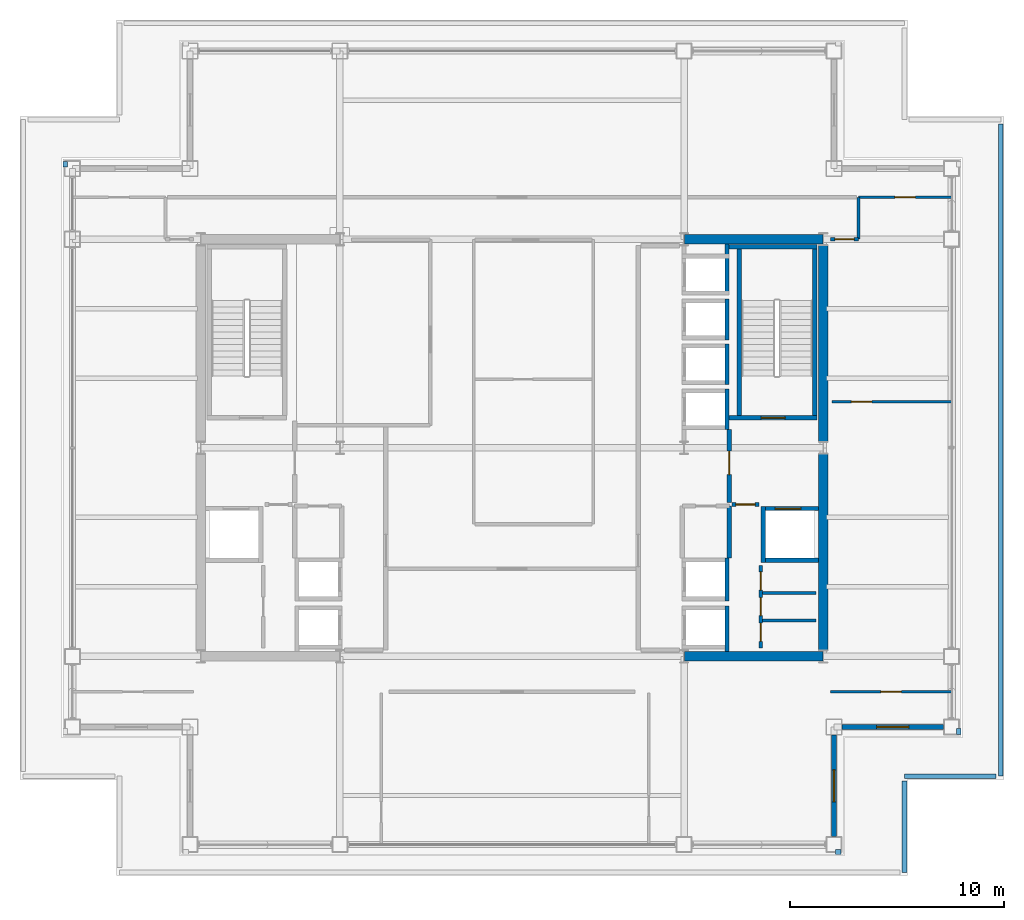
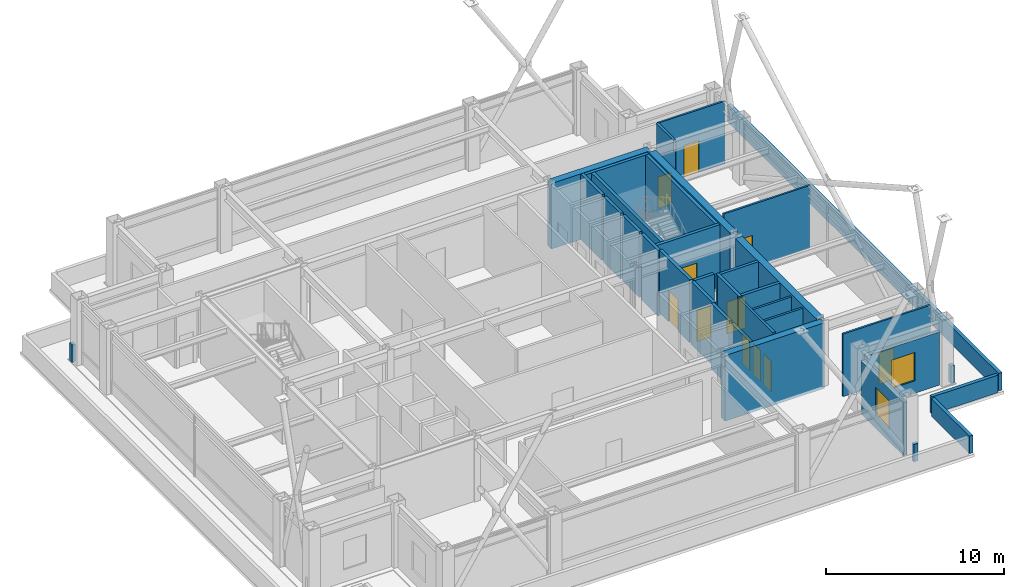
# One storey, part 22 of 24: 36 walls, 11 doors, 2 windows, 13 openings.
"""IFC4 building model written with IfcOpenShell, lengths in metres."""

from ifc_helpers import new_model, si_unit, direction, frame, frame_2d, origin, place, context, subcontext, project, spatial, rectangle, extrude, material, layer, layer_set, type_object, element, fill, save


model = new_model("IFC4")

# Units and contexts
model_context = context("Model", 3, precision=1e-05, world=origin(), true_north=direction((0.0, 1.0)))
body_context = subcontext(model_context, "Body", "Model", "MODEL_VIEW")
ifc_project = project(units=[si_unit("LENGTHUNIT", "METRE"), si_unit("AREAUNIT", "SQUARE_METRE"), si_unit("VOLUMEUNIT", "CUBIC_METRE"), si_unit("PLANEANGLEUNIT", "RADIAN"), si_unit("MASSUNIT", "GRAM", prefix="KILO")], contexts=[model_context])

# Site, building, storey
site_placement = place(None, origin())
site = spatial("IfcSite", under=ifc_project, at=site_placement, CompositionType="ELEMENT")
building_placement = place(site_placement, origin())
building = spatial("IfcBuilding", under=site, at=building_placement, Name="Brelmoor Portico Tower", CompositionType="ELEMENT")
storey_placement = place(building_placement, frame((0.0, 0.0, 150.60009765625)))
storey = spatial("IfcBuildingStorey", under=building, at=storey_placement, Name="L39", CompositionType="ELEMENT", Elevation=150.60009765625)

# Walls
ifc_material_1 = material(Name="Concrete C50", Category="concrete")
ifc_layer_1 = layer(ifc_material_1, 0.449951171875)
ifc_layer_set_1 = layer_set([ifc_layer_1], Name="Concrete C50")
wall_type_1 = type_object("IfcWallType", Name="WL-CORE-450", PredefinedType="SHEAR", material=ifc_layer_set_1)
for number, where, z_axis, x_axis, name in (
    (1, (8.070068359375, -9.75, -0.2001953125), (0.0, 0.0, 1.0), (1.0, 0.0, 0.0), "L39 EC South Shear Wall"),
    (2, (8.070068359375, 9.75, -0.2001953125), (0.0, 0.0, 1.0), (1.0, 0.0, 0.0), "L39 EC North Shear Wall"),
):
    element("IfcWall", number, at=place(storey_placement, frame(where, z_axis=z_axis, x_axis=x_axis)), inside=storey, type_object=wall_type_1, Name=name, PredefinedType="SHEAR", context=body_context, shape_type="SweptSolid", body=[
        extrude(rectangle(XDim=6.4599609375, YDim=0.449951171875, at=frame_2d((3.22998046875, 0.0))), origin(), (0.0, 0.0, 1.0), 4.5),
    ])
for number, where, z_axis, x_axis, name in (
    (3, (14.550048828125, -9.449951171875, -0.2001953125), (0.0, 0.0, 1.0), (0.0, 1.0, 0.0), "L39 EC Outer South Shear Wall"),
    (4, (14.550048828125, 0.300048828125, -0.2001953125), (0.0, 0.0, 1.0), (0.0, 1.0, 0.0), "L39 EC Outer North Shear Wall"),
):
    element("IfcWall", number, at=place(storey_placement, frame(where, z_axis=z_axis, x_axis=x_axis)), inside=storey, type_object=wall_type_1, Name=name, PredefinedType="SHEAR", context=body_context, shape_type="SweptSolid", body=[
        extrude(rectangle(XDim=9.14990234375, YDim=0.449951171875, at=frame_2d((4.574951171875, 0.0))), origin(), (0.0, 0.0, 1.0), 4.5),
    ])

# Wall, opening, window
ifc_material_2 = material(Name="Precast Concrete C40 Insulated Facade Wall", Category="concrete")
ifc_layer_2 = layer(ifc_material_2, 0.25)
ifc_layer_set_2 = layer_set([ifc_layer_2], Name="Precast Concrete C40 Insulated Facade Wall")
wall_type_2 = type_object("IfcWallType", Name="WL-EXT-250", PredefinedType="STANDARD", material=ifc_layer_set_2)
wall_1_placement = place(storey_placement, frame((15.43505859375, -13.050048828125, 0.0), z_axis=(0.0, 0.0, 1.0), x_axis=(1.0, 0.0, 0.0)))
wall_1 = element("IfcWall", 5, at=wall_1_placement, inside=storey, type_object=wall_type_2, Name="L39 Corner Notch Facade Wall NSEH1", PredefinedType="STANDARD", context=body_context, shape_type="SweptSolid", body=[
    extrude(rectangle(XDim=4.72998046875, YDim=0.25, at=frame_2d((2.364990234375, 0.0))), origin(), (0.0, 0.0, 1.0), 3.64990234375),
])
opening_1_placement = place(wall_1_placement, frame((1.614990234375, 0.0, 0.85009765625)))
opening_1 = element("IfcOpeningElement", 6, at=opening_1_placement, cuts=wall_1, Name="Opening W-01B", PredefinedType="OPENING", context=body_context, shape_type="SweptSolid", body=[
    extrude(rectangle(XDim=1.5, YDim=1.949951171875, at=frame_2d((0.75, 0.97509765625))), frame((0.0, 0.135009765625, 0.0), z_axis=(0.0, -1.0, 0.0), x_axis=(1.0, 0.0, 0.0)), (0.0, 0.0, 1.0), 0.27001953125),
])
ifc_material_3 = material(Name="Thermally Broken Aluminium Low-E Window", Category="aluminium")
window_type = type_object("IfcWindowType", Name="WN-NOTCH-1500x1950", PartitioningType="SINGLE_PANEL", PredefinedType="WINDOW", material=ifc_material_3)
window_1_placement = place(opening_1_placement, origin())
window_1 = element("IfcWindow", 7, at=window_1_placement, inside=storey, type_object=window_type, Name="L39 Corner Notch Window NSEH1", OverallHeight=1.949951171875, OverallWidth=1.5, PartitioningType="SINGLE_PANEL", PredefinedType="WINDOW", context=body_context, shape_type="SweptSolid", body=[
    extrude(rectangle(XDim=1.5, YDim=1.949951171875, at=frame_2d((0.75, 0.97509765625))), frame((0.0, 0.030029296875, 0.0), z_axis=(0.0, -1.0, 0.0), x_axis=(1.0, 0.0, 0.0)), (0.0, 0.0, 1.0), 0.06005859375),
])
fill(opening_1, window_1)

wall_2_placement = place(storey_placement, frame((15.050048828125, -18.1650390625, 0.0), z_axis=(0.0, 0.0, 1.0), x_axis=(0.0, 1.0, 0.0)))
wall_2 = element("IfcWall", 8, at=wall_2_placement, inside=storey, type_object=wall_type_2, Name="L39 Corner Notch Facade Wall NSEV1", PredefinedType="STANDARD", context=body_context, shape_type="SweptSolid", body=[
    extrude(rectangle(XDim=4.72998046875, YDim=0.25, at=frame_2d((2.364990234375, 0.0))), origin(), (0.0, 0.0, 1.0), 3.64990234375),
])
opening_2_placement = place(wall_2_placement, frame((1.614990234375, 0.0, 0.85009765625)))
opening_2 = element("IfcOpeningElement", 9, at=opening_2_placement, cuts=wall_2, Name="Opening W-01B", PredefinedType="OPENING", context=body_context, shape_type="SweptSolid", body=[
    extrude(rectangle(XDim=1.5, YDim=1.949951171875, at=frame_2d((0.75, 0.97509765625))), frame((0.0, 0.135009765625, 0.0), z_axis=(0.0, -1.0, 0.0), x_axis=(1.0, 0.0, 0.0)), (0.0, 0.0, 1.0), 0.27001953125),
])
window_2_placement = place(opening_2_placement, origin())
window_2 = element("IfcWindow", 10, at=window_2_placement, inside=storey, type_object=window_type, Name="L39 Corner Notch Window NSEV1", OverallHeight=1.949951171875, OverallWidth=1.5, PartitioningType="SINGLE_PANEL", PredefinedType="WINDOW", context=body_context, shape_type="SweptSolid", body=[
    extrude(rectangle(XDim=1.5, YDim=1.949951171875, at=frame_2d((0.75, 0.97509765625))), frame((0.0, 0.030029296875, 0.0), z_axis=(0.0, -1.0, 0.0), x_axis=(1.0, 0.0, 0.0)), (0.0, 0.0, 1.0), 0.06005859375),
])
fill(opening_2, window_2)

# Walls
ifc_material_4 = material(Name="Concrete C40 Parapet Upstand", Category="concrete")
ifc_layer_3 = layer(ifc_material_4, 0.219970703125)
ifc_layer_set_3 = layer_set([ifc_layer_3], Name="Concrete C40 Parapet Upstand")
wall_type_3 = type_object("IfcWallType", Name="WL-PARAPET-220", PredefinedType="PARAPET", material=ifc_layer_set_3)
for number, where, z_axis, x_axis, name in (
    (11, (15.1201171875, -18.889892578125, 0.0), (0.0, 0.0, 1.0), (1.0, 0.0, 0.0), "L39 Chamfer Vertex Parapet Pier SE1"),
    (12, (20.889892578125, -13.389892578125, 0.0), (0.0, 0.0, 1.0), (0.0, 1.0, 0.0), "L39 Chamfer Vertex Parapet Pier SE2"),
    (13, (-20.889892578125, 13.1201171875, 0.0), (0.0, 0.0, 1.0), (0.0, 1.0, 0.0), "L39 Chamfer Vertex Parapet Pier NW2"),
):
    element("IfcWall", number, at=place(storey_placement, frame(where, z_axis=z_axis, x_axis=x_axis)), inside=storey, type_object=wall_type_3, Name=name, PredefinedType="PARAPET", context=body_context, shape_type="SweptSolid", body=[
        extrude(rectangle(XDim=0.269775390625, YDim=0.219970703125, at=frame_2d((0.134765625, 0.0))), origin(), (0.0, 0.0, 1.0), 1.199951171875),
    ])
wall_3_placement = place(storey_placement, frame((18.35009765625, -19.85009765625, 0.0), z_axis=(0.0, 0.0, 1.0), x_axis=(0.0, 1.0, 0.0)))
element("IfcWall", 14, at=wall_3_placement, inside=storey, type_object=wall_type_3, Name="L39 Roof Parapet Wall 02", PredefinedType="PARAPET", context=body_context, shape_type="SweptSolid", body=[
    extrude(rectangle(XDim=4.280029296875, YDim=0.219970703125, at=frame_2d((2.14013671875, 0.0))), origin(), (0.0, 0.0, 1.0), 1.199951171875),
])
wall_4_placement = place(storey_placement, frame((18.35009765625, -15.35009765625, 0.0), z_axis=(0.0, 0.0, 1.0), x_axis=(1.0, 0.0, 0.0)))
element("IfcWall", 15, at=wall_4_placement, inside=storey, type_object=wall_type_3, Name="L39 Roof Parapet Wall 03", PredefinedType="PARAPET", context=body_context, shape_type="SweptSolid", body=[
    extrude(rectangle(XDim=4.27978515625, YDim=0.219970703125, at=frame_2d((2.139892578125, 0.0))), origin(), (0.0, 0.0, 1.0), 1.199951171875),
])
wall_5_placement = place(storey_placement, frame((22.85009765625, -15.35009765625, 0.0), z_axis=(0.0, 0.0, 1.0), x_axis=(0.0, 1.0, 0.0)))
element("IfcWall", 16, at=wall_5_placement, inside=storey, type_object=wall_type_3, Name="L39 Roof Parapet Wall 04", PredefinedType="PARAPET", context=body_context, shape_type="SweptSolid", body=[
    extrude(rectangle(XDim=30.47998046875, YDim=0.219970703125, at=frame_2d((15.239990234375, 0.0))), origin(), (0.0, 0.0, 1.0), 1.199951171875),
])

# Wall, opening, door
ifc_material_5 = material(Name="Lightweight Gypsum Office Partition", Category="gypsum")
ifc_layer_4 = layer(ifc_material_5, 0.1201171875)
ifc_layer_set_4 = layer_set([ifc_layer_4], Name="Lightweight Gypsum Office Partition")
wall_type_4 = type_object("IfcWallType", Name="WL-PART-120", PredefinedType="PARTITIONING", material=ifc_layer_set_4)
wall_6_placement = place(storey_placement, frame((16.199951171875, 11.7099609375, 0.0), z_axis=(0.0, 0.0, 1.0), x_axis=(1.0, 0.0, 0.0)))
wall_6 = element("IfcWall", 17, at=wall_6_placement, inside=storey, type_object=wall_type_4, Name="L39 North Wing Closure ER", PredefinedType="PARTITIONING", context=body_context, shape_type="SweptSolid", body=[
    extrude(rectangle(XDim=4.360107421875, YDim=0.1201171875, at=frame_2d((2.18017578125, 0.0))), origin(), (0.0, 0.0, 1.0), 4.2998046875),
])
opening_3_placement = place(wall_6_placement, frame((1.699951171875, 0.0, 0.0)))
opening_3 = element("IfcOpeningElement", 18, at=opening_3_placement, cuts=wall_6, Name="Opening D-IN2", PredefinedType="OPENING", context=body_context, shape_type="SweptSolid", body=[
    extrude(rectangle(XDim=0.9599609375, YDim=2.179931640625, at=frame_2d((0.47998046875, 1.08984375))), frame((0.0, 0.070068359375, 0.0), z_axis=(0.0, -1.0, 0.0), x_axis=(1.0, 0.0, 0.0)), (0.0, 0.0, 1.0), 0.14013671875),
])
ifc_material_6 = material(Name="Lacquered Timber Suite Door", Category="wood")
door_type_1 = type_object("IfcDoorType", Name="DR-INT-950", OperationType="NOTDEFINED", PredefinedType="DOOR", material=ifc_material_6)
door_1_placement = place(opening_3_placement, origin())
door_1 = element("IfcDoor", 19, at=door_1_placement, inside=storey, type_object=door_type_1, Name="D-1685 L39 ER Wing North Suite Door", OperationType="SINGLE_SWING_RIGHT", OverallHeight=2.179931640625, OverallWidth=0.9599609375, PredefinedType="DOOR", context=body_context, shape_type="SweptSolid", body=[
    extrude(rectangle(XDim=0.9599609375, YDim=2.179931640625, at=frame_2d((0.47998046875, 1.08984375))), frame((0.0, 0.02490234375, 0.0), z_axis=(0.0, -1.0, 0.0), x_axis=(1.0, 0.0, 0.0)), (0.0, 0.0, 1.0), 0.050048828125),
])
fill(opening_3, door_1)

wall_7_placement = place(storey_placement, frame((14.8798828125, -11.39990234375, 0.0), z_axis=(0.0, 0.0, 1.0), x_axis=(1.0, 0.0, 0.0)))
wall_7 = element("IfcWall", 20, at=wall_7_placement, inside=storey, type_object=wall_type_4, Name="L39 South Wing Closure ER", PredefinedType="PARTITIONING", context=body_context, shape_type="SweptSolid", body=[
    extrude(rectangle(XDim=5.68017578125, YDim=0.1201171875, at=frame_2d((2.840087890625, 0.0))), origin(), (0.0, 0.0, 1.0), 4.2998046875),
])
opening_4_placement = place(wall_7_placement, frame((2.360107421875, 0.0, 0.0)))
opening_4 = element("IfcOpeningElement", 21, at=opening_4_placement, cuts=wall_7, Name="Opening D-IN2", PredefinedType="OPENING", context=body_context, shape_type="SweptSolid", body=[
    extrude(rectangle(XDim=0.9599609375, YDim=2.179931640625, at=frame_2d((0.47998046875, 1.08984375))), frame((0.0, 0.070068359375, 0.0), z_axis=(0.0, -1.0, 0.0), x_axis=(1.0, 0.0, 0.0)), (0.0, 0.0, 1.0), 0.14013671875),
])
door_2_placement = place(opening_4_placement, origin())
door_2 = element("IfcDoor", 22, at=door_2_placement, inside=storey, type_object=door_type_1, Name="D-1693 L39 ER Wing South Suite Door", OperationType="SINGLE_SWING_LEFT", OverallHeight=2.179931640625, OverallWidth=0.9599609375, PredefinedType="DOOR", context=body_context, shape_type="SweptSolid", body=[
    extrude(rectangle(XDim=0.9599609375, YDim=2.179931640625, at=frame_2d((0.47998046875, 1.08984375))), frame((0.0, 0.02490234375, 0.0), z_axis=(0.0, -1.0, 0.0), x_axis=(1.0, 0.0, 0.0)), (0.0, 0.0, 1.0), 0.050048828125),
])
fill(opening_4, door_2)

wall_8_placement = place(storey_placement, frame((14.9599609375, 2.152099609375, 0.0), z_axis=(0.0, 0.0, 1.0), x_axis=(1.0, 0.0, 0.0)))
wall_8 = element("IfcWall", 23, at=wall_8_placement, inside=storey, type_object=wall_type_4, Name="L39 E Wing Partition 1", PredefinedType="PARTITIONING", context=body_context, shape_type="SweptSolid", body=[
    extrude(rectangle(XDim=5.60009765625, YDim=0.1201171875, at=frame_2d((2.800048828125, 0.0))), origin(), (0.0, 0.0, 1.0), 4.2998046875),
])
opening_5_placement = place(wall_8_placement, frame((0.89990234375, 0.0, 0.0)))
opening_5 = element("IfcOpeningElement", 24, at=opening_5_placement, cuts=wall_8, Name="Opening D-IN2", PredefinedType="OPENING", context=body_context, shape_type="SweptSolid", body=[
    extrude(rectangle(XDim=0.9599609375, YDim=2.179931640625, at=frame_2d((0.47998046875, 1.08984375))), frame((0.0, 0.070068359375, 0.0), z_axis=(0.0, -1.0, 0.0), x_axis=(1.0, 0.0, 0.0)), (0.0, 0.0, 1.0), 0.14013671875),
])
door_3_placement = place(opening_5_placement, origin())
door_3 = element("IfcDoor", 25, at=door_3_placement, inside=storey, type_object=door_type_1, Name="D-1695 L39 E Wing Suite Connecting Door 1", OperationType="SINGLE_SWING_RIGHT", OverallHeight=2.179931640625, OverallWidth=0.9599609375, PredefinedType="DOOR", context=body_context, shape_type="SweptSolid", body=[
    extrude(rectangle(XDim=0.9599609375, YDim=2.179931640625, at=frame_2d((0.47998046875, 1.08984375))), frame((0.0, 0.02490234375, 0.0), z_axis=(0.0, -1.0, 0.0), x_axis=(1.0, 0.0, 0.0)), (0.0, 0.0, 1.0), 0.050048828125),
])
fill(opening_5, door_3)

# Walls
ifc_material_7 = material(Name="Insulated Stud Suite Partition", Category="gypsum")
ifc_layer_5 = layer(ifc_material_7, 0.139892578125)
ifc_layer_set_5 = layer_set([ifc_layer_5], Name="Insulated Stud Suite Partition")
wall_type_5 = type_object("IfcWallType", Name="WL-PART-140", PredefinedType="PARTITIONING", material=ifc_layer_set_5)
for number, where, z_axis, x_axis, name in (
    (26, (11.699951171875, -8.066650390625, 0.0), (0.0, 0.0, 1.0), (1.0, 0.0, 0.0), "L39 E Core WC Divider 1"),
    (27, (11.699951171875, -6.783203125, 0.0), (0.0, 0.0, 1.0), (1.0, 0.0, 0.0), "L39 E Core WC Divider 2"),
):
    element("IfcWall", number, at=place(storey_placement, frame(where, z_axis=z_axis, x_axis=x_axis)), inside=storey, type_object=wall_type_5, Name=name, PredefinedType="PARTITIONING", context=body_context, shape_type="SweptSolid", body=[
        extrude(rectangle(XDim=2.5, YDim=0.139892578125, at=frame_2d((1.25, 0.0))), origin(), (0.0, 0.0, 1.0), 4.2998046875),
    ])

# Wall, openings, doors
ifc_material_8 = material(Name="Twin-Frame Acoustic Partition", Category="gypsum")
ifc_layer_6 = layer(ifc_material_8, 0.159912109375)
ifc_layer_set_6 = layer_set([ifc_layer_6], Name="Twin-Frame Acoustic Partition")
wall_type_6 = type_object("IfcWallType", Name="WL-PART-160", PredefinedType="PARTITIONING", material=ifc_layer_set_6)
wall_9_placement = place(storey_placement, frame((11.6201171875, -9.35009765625, 0.0), z_axis=(0.0, 0.0, 1.0), x_axis=(0.0, 1.0, 0.0)))
wall_9 = element("IfcWall", 28, at=wall_9_placement, inside=storey, type_object=wall_type_6, Name="L39 E Core Service Front Wall", PredefinedType="PARTITIONING", context=body_context, shape_type="SweptSolid", body=[
    extrude(rectangle(XDim=3.85009765625, YDim=0.159912109375, at=frame_2d((1.925048828125, 0.0))), origin(), (0.0, 0.0, 1.0), 4.2998046875),
])
opening_6_placement = place(wall_9_placement, frame((0.300048828125, 0.0, 0.0)))
opening_6 = element("IfcOpeningElement", 29, at=opening_6_placement, cuts=wall_9, Name="Opening D-WC1", PredefinedType="OPENING", context=body_context, shape_type="SweptSolid", body=[
    extrude(rectangle(XDim=0.85009765625, YDim=2.1201171875, at=frame_2d((0.425048828125, 1.06005859375))), frame((0.0, 0.08984375, 0.0), z_axis=(0.0, -1.0, 0.0), x_axis=(1.0, 0.0, 0.0)), (0.0, 0.0, 1.0), 0.179931640625),
])
opening_7_placement = place(wall_9_placement, frame((1.5, 0.0, 0.0)))
opening_7 = element("IfcOpeningElement", 30, at=opening_7_placement, cuts=wall_9, Name="Opening D-WC1", PredefinedType="OPENING", context=body_context, shape_type="SweptSolid", body=[
    extrude(rectangle(XDim=0.85009765625, YDim=2.1201171875, at=frame_2d((0.425048828125, 1.06005859375))), frame((0.0, 0.08984375, 0.0), z_axis=(0.0, -1.0, 0.0), x_axis=(1.0, 0.0, 0.0)), (0.0, 0.0, 1.0), 0.179931640625),
])
opening_8_placement = place(wall_9_placement, frame((2.699951171875, 0.0, 0.0)))
opening_8 = element("IfcOpeningElement", 31, at=opening_8_placement, cuts=wall_9, Name="Opening D-WC1", PredefinedType="OPENING", context=body_context, shape_type="SweptSolid", body=[
    extrude(rectangle(XDim=0.85009765625, YDim=2.1201171875, at=frame_2d((0.425048828125, 1.06005859375))), frame((0.0, 0.08984375, 0.0), z_axis=(0.0, -1.0, 0.0), x_axis=(1.0, 0.0, 0.0)), (0.0, 0.0, 1.0), 0.179931640625),
])
ifc_material_9 = material(Name="Moisture-Resistant Laminate WC Door", Category="timber")
door_type_2 = type_object("IfcDoorType", Name="DR-WC-850", OperationType="NOTDEFINED", PredefinedType="DOOR", material=ifc_material_9)
door_4_placement = place(opening_6_placement, origin())
door_4 = element("IfcDoor", 32, at=door_4_placement, inside=storey, type_object=door_type_2, Name="D-1672 L39 E Male WC Door", OperationType="SINGLE_SWING_LEFT", OverallHeight=2.1201171875, OverallWidth=0.85009765625, PredefinedType="DOOR", context=body_context, shape_type="SweptSolid", body=[
    extrude(rectangle(XDim=0.85009765625, YDim=2.1201171875, at=frame_2d((0.425048828125, 1.06005859375))), frame((0.0, 0.02490234375, 0.0), z_axis=(0.0, -1.0, 0.0), x_axis=(1.0, 0.0, 0.0)), (0.0, 0.0, 1.0), 0.050048828125),
])
fill(opening_6, door_4)
door_5_placement = place(opening_7_placement, origin())
door_5 = element("IfcDoor", 33, at=door_5_placement, inside=storey, type_object=door_type_2, Name="D-1673 L39 E Female WC Door", OperationType="SINGLE_SWING_RIGHT", OverallHeight=2.1201171875, OverallWidth=0.85009765625, PredefinedType="DOOR", context=body_context, shape_type="SweptSolid", body=[
    extrude(rectangle(XDim=0.85009765625, YDim=2.1201171875, at=frame_2d((0.425048828125, 1.06005859375))), frame((0.0, 0.02490234375, 0.0), z_axis=(0.0, -1.0, 0.0), x_axis=(1.0, 0.0, 0.0)), (0.0, 0.0, 1.0), 0.050048828125),
])
fill(opening_7, door_5)
door_6_placement = place(opening_8_placement, origin())
door_6 = element("IfcDoor", 34, at=door_6_placement, inside=storey, type_object=door_type_2, Name="D-1674 L39 E Janitor Store Door", OperationType="SINGLE_SWING_LEFT", OverallHeight=2.1201171875, OverallWidth=0.85009765625, PredefinedType="DOOR", context=body_context, shape_type="SweptSolid", body=[
    extrude(rectangle(XDim=0.85009765625, YDim=2.1201171875, at=frame_2d((0.425048828125, 1.06005859375))), frame((0.0, 0.02490234375, 0.0), z_axis=(0.0, -1.0, 0.0), x_axis=(1.0, 0.0, 0.0)), (0.0, 0.0, 1.0), 0.050048828125),
])
fill(opening_8, door_6)

# Wall, opening, door
wall_10_placement = place(storey_placement, frame((14.8798828125, 9.760009765625, 0.0), z_axis=(0.0, 0.0, 1.0), x_axis=(1.0, 0.0, 0.0)))
wall_10 = element("IfcWall", 35, at=wall_10_placement, inside=storey, type_object=wall_type_6, Name="L39 E Wing North Entry Wall", PredefinedType="PARTITIONING", context=body_context, shape_type="SweptSolid", body=[
    extrude(rectangle(XDim=1.320068359375, YDim=0.159912109375, at=frame_2d((0.66015625, 0.0))), origin(), (0.0, 0.0, 1.0), 3.599853515625),
])
opening_9_placement = place(wall_10_placement, frame((0.2099609375, 0.0, 0.0)))
opening_9 = element("IfcOpeningElement", 36, at=opening_9_placement, cuts=wall_10, Name="Opening D-IN1", PredefinedType="OPENING", context=body_context, shape_type="SweptSolid", body=[
    extrude(rectangle(XDim=0.89990234375, YDim=2.14990234375, at=frame_2d((0.449951171875, 1.074951171875))), frame((0.0, 0.08984375, 0.0), z_axis=(0.0, -1.0, 0.0), x_axis=(1.0, 0.0, 0.0)), (0.0, 0.0, 1.0), 0.179931640625),
])
door_type_3 = type_object("IfcDoorType", Name="DR-INT-900", OperationType="NOTDEFINED", PredefinedType="DOOR", material=ifc_material_6)
door_7_placement = place(opening_9_placement, origin())
door_7 = element("IfcDoor", 37, at=door_7_placement, inside=storey, type_object=door_type_3, Name="D-1696 L39 E Wing Entry Door", OperationType="SINGLE_SWING_LEFT", OverallHeight=2.14990234375, OverallWidth=0.89990234375, PredefinedType="DOOR", context=body_context, shape_type="SweptSolid", body=[
    extrude(rectangle(XDim=0.89990234375, YDim=2.14990234375, at=frame_2d((0.449951171875, 1.074951171875))), frame((0.0, 0.02490234375, 0.0), z_axis=(0.0, -1.0, 0.0), x_axis=(1.0, 0.0, 0.0)), (0.0, 0.0, 1.0), 0.050048828125),
])
fill(opening_9, door_7)

# Wall
wall_11_placement = place(storey_placement, frame((16.199951171875, 9.760009765625, 0.0), z_axis=(0.0, 0.0, 1.0), x_axis=(0.0, 1.0, 0.0)))
element("IfcWall", 38, at=wall_11_placement, inside=storey, type_object=wall_type_6, Name="L39 E Corridor End Closure", PredefinedType="PARTITIONING", context=body_context, shape_type="SweptSolid", body=[
    extrude(rectangle(XDim=1.949951171875, YDim=0.159912109375, at=frame_2d((0.97509765625, 0.0))), origin(), (0.0, 0.0, 1.0), 4.2998046875),
])

# Wall, opening, door
ifc_material_10 = material(Name="Double-Stud Gypsum Fire Partition", Category="gypsum")
ifc_layer_7 = layer(ifc_material_10, 0.199951171875)
ifc_layer_set_7 = layer_set([ifc_layer_7], Name="Double-Stud Gypsum Fire Partition")
wall_type_7 = type_object("IfcWallType", Name="WL-PART-200", PredefinedType="PARTITIONING", material=ifc_layer_set_7)
wall_12_placement = place(storey_placement, frame((10.159912109375, -2.550048828125, 0.0), z_axis=(0.0, 0.0, 1.0), x_axis=(0.0, 1.0, 0.0)))
wall_12 = element("IfcWall", 39, at=wall_12_placement, inside=storey, type_object=wall_type_7, Name="L39 E Firefighting Lobby Wall", PredefinedType="PARTITIONING", context=body_context, shape_type="SweptSolid", body=[
    extrude(rectangle(XDim=3.400146484375, YDim=0.199951171875, at=frame_2d((1.7001953125, 0.0))), origin(), (0.0, 0.0, 1.0), 4.2998046875),
])
opening_10_placement = place(wall_12_placement, frame((1.300048828125, 0.0, 0.0)))
opening_10 = element("IfcOpeningElement", 40, at=opening_10_placement, cuts=wall_12, Name="Opening D-FR1", PredefinedType="OPENING", context=body_context, shape_type="SweptSolid", body=[
    extrude(rectangle(XDim=1.10009765625, YDim=2.14990234375, at=frame_2d((0.550048828125, 1.074951171875))), frame((0.0, 0.10986328125, 0.0), z_axis=(0.0, -1.0, 0.0), x_axis=(1.0, 0.0, 0.0)), (0.0, 0.0, 1.0), 0.219970703125),
])
ifc_material_11 = material(Name="Painted Galvanised Steel Fire Door", Category="steel")
door_type_4 = type_object("IfcDoorType", Name="DR-FIRE-1100", OperationType="NOTDEFINED", PredefinedType="DOOR", material=ifc_material_11)
door_8_placement = place(opening_10_placement, origin())
door_8 = element("IfcDoor", 41, at=door_8_placement, inside=storey, type_object=door_type_4, Name="D-1680 L39 E Firefighting Lobby Door", OperationType="SINGLE_SWING_RIGHT", OverallHeight=2.14990234375, OverallWidth=1.10009765625, PredefinedType="DOOR", context=body_context, shape_type="SweptSolid", body=[
    extrude(rectangle(XDim=1.10009765625, YDim=2.14990234375, at=frame_2d((0.550048828125, 1.074951171875))), frame((0.0, 0.02490234375, 0.0), z_axis=(0.0, -1.0, 0.0), x_axis=(1.0, 0.0, 0.0)), (0.0, 0.0, 1.0), 0.050048828125),
])
fill(opening_10, door_8)

wall_13_placement = place(storey_placement, frame((10.280029296875, -2.64990234375, 0.0), z_axis=(0.0, 0.0, 1.0), x_axis=(1.0, 0.0, 0.0)))
wall_13 = element("IfcWall", 42, at=wall_13_placement, inside=storey, type_object=wall_type_7, Name="L39 E Firefighting Lobby South Wall", PredefinedType="PARTITIONING", context=body_context, shape_type="SweptSolid", body=[
    extrude(rectangle(XDim=1.27001953125, YDim=0.199951171875, at=frame_2d((0.635009765625, 0.0))), origin(), (0.0, 0.0, 1.0), 4.2998046875),
])
opening_11_placement = place(wall_13_placement, frame((0.18505859375, 0.0, 0.0)))
opening_11 = element("IfcOpeningElement", 43, at=opening_11_placement, cuts=wall_13, Name="Opening D-IN1", PredefinedType="OPENING", context=body_context, shape_type="SweptSolid", body=[
    extrude(rectangle(XDim=0.89990234375, YDim=2.14990234375, at=frame_2d((0.449951171875, 1.074951171875))), frame((0.0, 0.10986328125, 0.0), z_axis=(0.0, -1.0, 0.0), x_axis=(1.0, 0.0, 0.0)), (0.0, 0.0, 1.0), 0.219970703125),
])
door_9_placement = place(opening_11_placement, origin())
door_9 = element("IfcDoor", 44, at=door_9_placement, inside=storey, type_object=door_type_3, Name="D-1675 L39 E Core Service Vestibule Door", OperationType="SINGLE_SWING_LEFT", OverallHeight=2.14990234375, OverallWidth=0.89990234375, PredefinedType="DOOR", context=body_context, shape_type="SweptSolid", body=[
    extrude(rectangle(XDim=0.89990234375, YDim=2.14990234375, at=frame_2d((0.449951171875, 1.074951171875))), frame((0.0, 0.02490234375, 0.0), z_axis=(0.0, -1.0, 0.0), x_axis=(1.0, 0.0, 0.0)), (0.0, 0.0, 1.0), 0.050048828125),
])
fill(opening_11, door_9)

# Walls
wall_14_placement = place(storey_placement, frame((10.159912109375, -5.159912109375, 0.0), z_axis=(0.0, 0.0, 1.0), x_axis=(0.0, 1.0, 0.0)))
element("IfcWall", 45, at=wall_14_placement, inside=storey, type_object=wall_type_7, Name="L39 E Electrical Switchgear Closet Outer Wall", PredefinedType="PARTITIONING", context=body_context, shape_type="SweptSolid", body=[
    extrude(rectangle(XDim=2.43994140625, YDim=0.199951171875, at=frame_2d((1.219970703125, 0.0))), origin(), (0.0, 0.0, 1.0), 4.2998046875),
])
ifc_material_12 = material(Name="Precast Concrete C40", Category="concrete")
ifc_layer_8 = layer(ifc_material_12, 0.18994140625)
ifc_layer_set_8 = layer_set([ifc_layer_8], Name="Precast Concrete C40")
wall_type_8 = type_object("IfcWallType", Name="WL-SHAFT-180", PredefinedType="SOLIDWALL", material=ifc_layer_set_8)
wall_15_placement = place(storey_placement, frame((10.054931640625, 0.85009765625, -0.2001953125), z_axis=(0.0, 0.0, 1.0), x_axis=(0.0, 1.0, 0.0)))
element("IfcWall", 46, at=wall_15_placement, inside=storey, type_object=wall_type_8, Name="L39 Lift PM1 Hoistway Back Wall", PredefinedType="SOLIDWALL", context=body_context, shape_type="SweptSolid", body=[
    extrude(rectangle(XDim=1.89990234375, YDim=0.18994140625, at=frame_2d((0.949951171875, 0.0))), origin(), (0.0, 0.0, 1.0), 4.5),
])
wall_16_placement = place(storey_placement, frame((10.054931640625, 2.949951171875, -0.2001953125), z_axis=(0.0, 0.0, 1.0), x_axis=(0.0, 1.0, 0.0)))
element("IfcWall", 47, at=wall_16_placement, inside=storey, type_object=wall_type_8, Name="L39 Lift PM2 Hoistway Back Wall", PredefinedType="SOLIDWALL", context=body_context, shape_type="SweptSolid", body=[
    extrude(rectangle(XDim=1.900146484375, YDim=0.18994140625, at=frame_2d((0.9501953125, 0.0))), origin(), (0.0, 0.0, 1.0), 4.5),
])
wall_17_placement = place(storey_placement, frame((10.054931640625, 5.050048828125, -0.2001953125), z_axis=(0.0, 0.0, 1.0), x_axis=(0.0, 1.0, 0.0)))
element("IfcWall", 48, at=wall_17_placement, inside=storey, type_object=wall_type_8, Name="L39 Lift PM3 Hoistway Back Wall", PredefinedType="SOLIDWALL", context=body_context, shape_type="SweptSolid", body=[
    extrude(rectangle(XDim=1.89990234375, YDim=0.18994140625, at=frame_2d((0.949951171875, 0.0))), origin(), (0.0, 0.0, 1.0), 4.5),
])
wall_18_placement = place(storey_placement, frame((10.054931640625, 7.14990234375, -0.2001953125), z_axis=(0.0, 0.0, 1.0), x_axis=(0.0, 1.0, 0.0)))
element("IfcWall", 49, at=wall_18_placement, inside=storey, type_object=wall_type_8, Name="L39 Lift PM4 Hoistway Back Wall", PredefinedType="SOLIDWALL", context=body_context, shape_type="SweptSolid", body=[
    extrude(rectangle(XDim=2.3701171875, YDim=0.18994140625, at=frame_2d((1.18505859375, 0.0))), origin(), (0.0, 0.0, 1.0), 4.5),
])
wall_19_placement = place(storey_placement, frame((10.054931640625, -9.52001953125, -0.2001953125), z_axis=(0.0, 0.0, 1.0), x_axis=(0.0, 1.0, 0.0)))
element("IfcWall", 50, at=wall_19_placement, inside=storey, type_object=wall_type_8, Name="L39 Lift PH3 Hoistway Back Wall", PredefinedType="SOLIDWALL", context=body_context, shape_type="SweptSolid", body=[
    extrude(rectangle(XDim=2.1201171875, YDim=0.18994140625, at=frame_2d((1.06005859375, 0.0))), origin(), (0.0, 0.0, 1.0), 4.5),
])
wall_20_placement = place(storey_placement, frame((10.054931640625, -7.14990234375, -0.2001953125), z_axis=(0.0, 0.0, 1.0), x_axis=(0.0, 1.0, 0.0)))
element("IfcWall", 51, at=wall_20_placement, inside=storey, type_object=wall_type_8, Name="L39 Lift PH4 Hoistway Back Wall", PredefinedType="SOLIDWALL", context=body_context, shape_type="SweptSolid", body=[
    extrude(rectangle(XDim=2.0, YDim=0.18994140625, at=frame_2d((1.0, 0.0))), origin(), (0.0, 0.0, 1.0), 4.5),
])

# Wall, opening, door
wall_21_placement = place(storey_placement, frame((11.64990234375, -2.844970703125, -0.2001953125), z_axis=(0.0, 0.0, 1.0), x_axis=(1.0, 0.0, 0.0)))
wall_21 = element("IfcWall", 52, at=wall_21_placement, inside=storey, type_object=wall_type_8, Name="L39 Lift FF2 Hoistway Front Wall", PredefinedType="SOLIDWALL", context=body_context, shape_type="SweptSolid", body=[
    extrude(rectangle(XDim=2.68017578125, YDim=0.18994140625, at=frame_2d((1.340087890625, 0.0))), origin(), (0.0, 0.0, 1.0), 4.5),
])
opening_12_placement = place(wall_21_placement, frame((0.64990234375, 0.0, 0.199951171875)))
opening_12 = element("IfcOpeningElement", 53, at=opening_12_placement, cuts=wall_21, Name="Opening LD-02", PredefinedType="OPENING", context=body_context, shape_type="SweptSolid", body=[
    extrude(rectangle(XDim=1.199951171875, YDim=2.199951171875, at=frame_2d((0.60009765625, 1.10009765625))), frame((0.0, 0.10498046875, 0.0), z_axis=(0.0, -1.0, 0.0), x_axis=(1.0, 0.0, 0.0)), (0.0, 0.0, 1.0), 0.2099609375),
])
ifc_material_13 = material(Name="Brushed Stainless Steel Firefighting Lift Door", Category="steel")
door_type_5 = type_object("IfcDoorType", Name="DR-LIFT-1200", OperationType="NOTDEFINED", PredefinedType="DOOR", material=ifc_material_13)
door_10_placement = place(opening_12_placement, origin())
door_10 = element("IfcDoor", 54, at=door_10_placement, inside=storey, type_object=door_type_5, Name="D-1699 L39 Lift FF2 Sliding Landing Door", OperationType="SLIDING_TO_LEFT", OverallHeight=2.199951171875, OverallWidth=1.199951171875, PredefinedType="DOOR", context=body_context, shape_type="SweptSolid", body=[
    extrude(rectangle(XDim=1.199951171875, YDim=2.199951171875, at=frame_2d((0.60009765625, 1.10009765625))), frame((0.0, 0.02490234375, 0.0), z_axis=(0.0, -1.0, 0.0), x_axis=(1.0, 0.0, 0.0)), (0.0, 0.0, 1.0), 0.050048828125),
])
fill(opening_12, door_10)

# Walls
wall_22_placement = place(storey_placement, frame((11.64990234375, -5.2548828125, -0.2001953125), z_axis=(0.0, 0.0, 1.0), x_axis=(1.0, 0.0, 0.0)))
element("IfcWall", 55, at=wall_22_placement, inside=storey, type_object=wall_type_8, Name="L39 Firefighting Lift FF2 South Wall", PredefinedType="SOLIDWALL", context=body_context, shape_type="SweptSolid", body=[
    extrude(rectangle(XDim=2.68017578125, YDim=0.18994140625, at=frame_2d((1.340087890625, 0.0))), origin(), (0.0, 0.0, 1.0), 4.5),
])
wall_23_placement = place(storey_placement, frame((11.7451171875, -5.35009765625, -0.2001953125), z_axis=(0.0, 0.0, 1.0), x_axis=(0.0, 1.0, 0.0)))
element("IfcWall", 56, at=wall_23_placement, inside=storey, type_object=wall_type_8, Name="L39 Firefighting Lift FF2 Inner Wall", PredefinedType="SOLIDWALL", context=body_context, shape_type="SweptSolid", body=[
    extrude(rectangle(XDim=2.60009765625, YDim=0.18994140625, at=frame_2d((1.300048828125, 0.0))), origin(), (0.0, 0.0, 1.0), 4.5),
])
ifc_material_14 = material(Name="Concrete C40", Category="concrete")
ifc_layer_9 = layer(ifc_material_14, 0.199951171875)
ifc_layer_set_9 = layer_set([ifc_layer_9], Name="Concrete C40")
wall_type_9 = type_object("IfcWallType", Name="WL-SHAFT-RC200", PredefinedType="SOLIDWALL", material=ifc_layer_set_9)
wall_24_placement = place(storey_placement, frame((14.14990234375, 1.5, -0.2001953125), z_axis=(0.0, 0.0, 1.0), x_axis=(0.0, 1.0, 0.0)))
element("IfcWall", 57, at=wall_24_placement, inside=storey, type_object=wall_type_9, Name="L39 ST-E Structural Stair Wall Outer", PredefinedType="SOLIDWALL", context=body_context, shape_type="SweptSolid", body=[
    extrude(rectangle(XDim=7.800048828125, YDim=0.199951171875, at=frame_2d((3.89990234375, 0.0))), origin(), (0.0, 0.0, 1.0), 4.5),
])

# Wall, opening, door
wall_25_placement = place(storey_placement, frame((10.14990234375, 1.39990234375, -0.2001953125), z_axis=(0.0, 0.0, 1.0), x_axis=(1.0, 0.0, 0.0)))
wall_25 = element("IfcWall", 58, at=wall_25_placement, inside=storey, type_object=wall_type_9, Name="L39 ST-E Structural Stair Wall S", PredefinedType="SOLIDWALL", context=body_context, shape_type="SweptSolid", body=[
    extrude(rectangle(XDim=4.10009765625, YDim=0.199951171875, at=frame_2d((2.050048828125, 0.0))), origin(), (0.0, 0.0, 1.0), 4.5),
])
opening_13_placement = place(wall_25_placement, frame((1.5, 0.0, 0.199951171875)))
opening_13 = element("IfcOpeningElement", 59, at=opening_13_placement, cuts=wall_25, Name="Opening D-ST1", PredefinedType="OPENING", context=body_context, shape_type="SweptSolid", body=[
    extrude(rectangle(XDim=1.1201171875, YDim=2.179931640625, at=frame_2d((0.56005859375, 1.08984375))), frame((0.0, 0.10986328125, 0.0), z_axis=(0.0, -1.0, 0.0), x_axis=(1.0, 0.0, 0.0)), (0.0, 0.0, 1.0), 0.219970703125),
])
door_type_6 = type_object("IfcDoorType", Name="DR-STAIR-1100", OperationType="NOTDEFINED", PredefinedType="DOOR", material=ifc_material_11)
door_11_placement = place(opening_13_placement, origin())
door_11 = element("IfcDoor", 60, at=door_11_placement, inside=storey, type_object=door_type_6, Name="D-1691 L39 ST-E Protected Exit Stair Door", OperationType="SINGLE_SWING_RIGHT", OverallHeight=2.179931640625, OverallWidth=1.1201171875, PredefinedType="DOOR", context=body_context, shape_type="SweptSolid", body=[
    extrude(rectangle(XDim=1.1201171875, YDim=2.179931640625, at=frame_2d((0.56005859375, 1.08984375))), frame((0.0, 0.02490234375, 0.0), z_axis=(0.0, -1.0, 0.0), x_axis=(1.0, 0.0, 0.0)), (0.0, 0.0, 1.0), 0.050048828125),
])
fill(opening_13, door_11)

# Walls
wall_26_placement = place(storey_placement, frame((10.14990234375, 9.39990234375, -0.2001953125), z_axis=(0.0, 0.0, 1.0), x_axis=(1.0, 0.0, 0.0)))
element("IfcWall", 61, at=wall_26_placement, inside=storey, type_object=wall_type_9, Name="L39 ST-E Structural Stair Wall N", PredefinedType="SOLIDWALL", context=body_context, shape_type="SweptSolid", body=[
    extrude(rectangle(XDim=4.10009765625, YDim=0.199951171875, at=frame_2d((2.050048828125, 0.0))), origin(), (0.0, 0.0, 1.0), 4.5),
])
wall_27_placement = place(storey_placement, frame((10.6298828125, 1.5, -0.2001953125), z_axis=(0.0, 0.0, 1.0), x_axis=(0.0, 1.0, 0.0)))
element("IfcWall", 62, at=wall_27_placement, inside=storey, type_object=wall_type_9, Name="L39 ST-E Structural Stair Wall Inner", PredefinedType="SOLIDWALL", context=body_context, shape_type="SweptSolid", body=[
    extrude(rectangle(XDim=7.800048828125, YDim=0.199951171875, at=frame_2d((3.89990234375, 0.0))), origin(), (0.0, 0.0, 1.0), 4.5),
])

save(model, "model.ifc")
